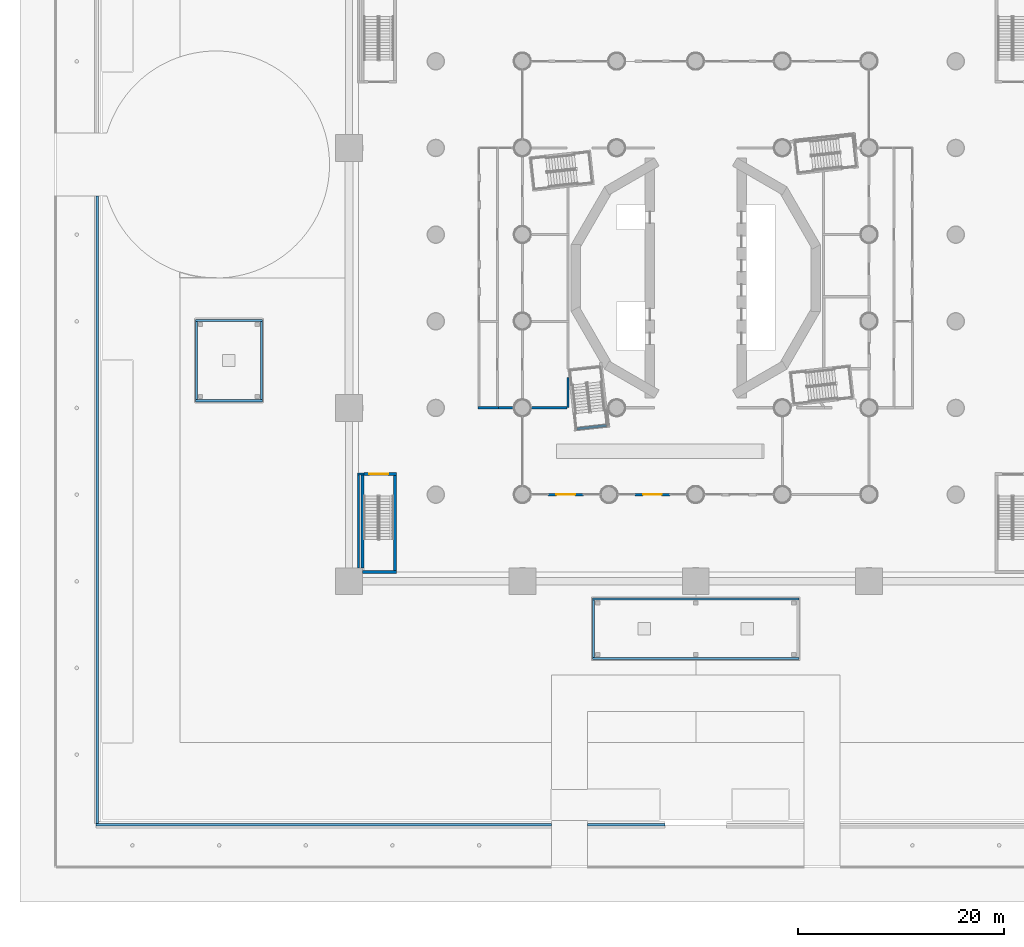
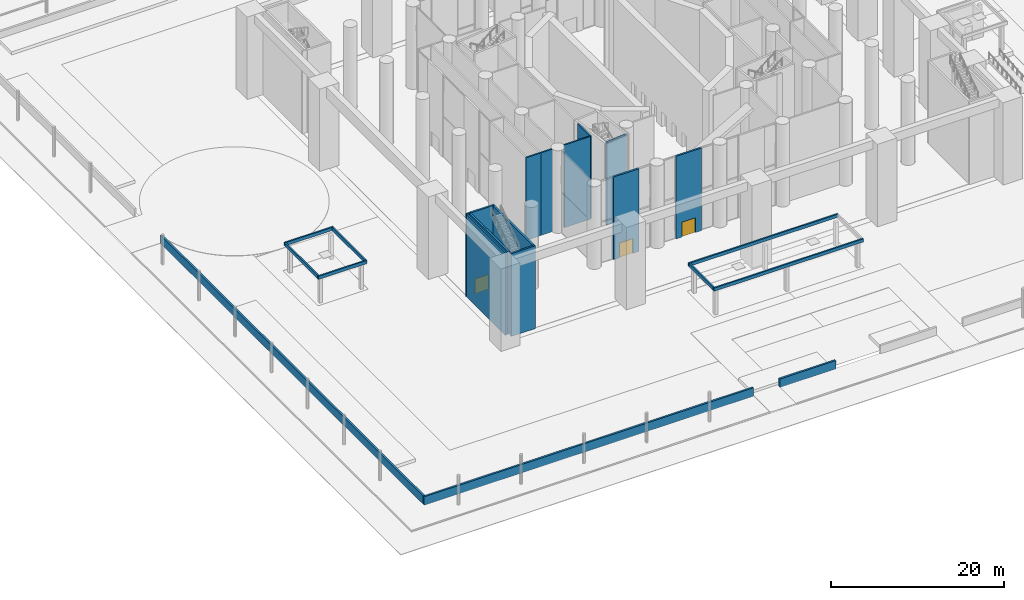
# One storey, part 12 of 52: 23 walls, 3 doors, 3 openings.
"""IFC4 building model written with IfcOpenShell, lengths in metres."""

from ifc_helpers import new_model, si_unit, direction, frame, frame_2d, origin, place, context, subcontext, project, spatial, rectangle, extrude, material, layer, layer_set, type_object, element, fill, save


model = new_model("IFC4")

# Units and contexts
model_context = context("Model", 3, precision=1e-05, world=origin(), true_north=direction((0.0, 1.0)))
body_context = subcontext(model_context, "Body", "Model", "MODEL_VIEW")
ifc_project = project(units=[si_unit("LENGTHUNIT", "METRE"), si_unit("AREAUNIT", "SQUARE_METRE"), si_unit("VOLUMEUNIT", "CUBIC_METRE"), si_unit("PLANEANGLEUNIT", "RADIAN"), si_unit("MASSUNIT", "GRAM", prefix="KILO")], contexts=[model_context])

# Site, building, storey
site_placement = place(None, origin())
site = spatial("IfcSite", under=ifc_project, at=site_placement, CompositionType="ELEMENT")
building_placement = place(site_placement, origin())
building = spatial("IfcBuilding", under=site, at=building_placement, Name="Cantera Rosa Tower", CompositionType="ELEMENT")
storey_placement = place(building_placement, origin())
storey = spatial("IfcBuildingStorey", under=building, at=storey_placement, Name="L00", CompositionType="ELEMENT", Elevation=0.0)

# Walls
ifc_material_1 = material(Name="Masonry blockwork", Category="masonry")
ifc_layer_1 = layer(ifc_material_1, 0.199951171875)
ifc_layer_set_1 = layer_set([ifc_layer_1], Name="Blockwork partition 200")
wall_type_1 = type_object("IfcWallType", Name="Blockwork partition 200", PredefinedType="PARTITIONING", material=ifc_layer_set_1)
wall_1_placement = place(storey_placement, frame((-21.10009765625, -12.57666015625, 0.0), z_axis=(0.0, 0.0, 1.0), x_axis=(1.0, 0.0, 0.0)))
element("IfcWall", 1, at=wall_1_placement, inside=storey, type_object=wall_type_1, Name="Partition L00-1", PredefinedType="PARTITIONING", context=body_context, shape_type="SweptSolid", body=[
    extrude(rectangle(XDim=2.0, YDim=0.199951171875, at=frame_2d((1.0, 0.0))), origin(), (0.0, 0.0, 1.0), 11.699951171875),
])
wall_2_placement = place(storey_placement, frame((-19.10009765625, -12.57666015625, 0.0), z_axis=(0.0, 0.0, 1.0), x_axis=(1.0, 0.0, 0.0)))
element("IfcWall", 2, at=wall_2_placement, inside=storey, type_object=wall_type_1, Name="Partition L00-2", PredefinedType="PARTITIONING", context=body_context, shape_type="SweptSolid", body=[
    extrude(rectangle(XDim=1.5, YDim=0.199951171875, at=frame_2d((0.75, 0.0))), origin(), (0.0, 0.0, 1.0), 11.699951171875),
])
wall_3_placement = place(storey_placement, frame((-16.0, -12.57666015625, 0.0), z_axis=(0.0, 0.0, 1.0), x_axis=(1.0, 0.0, 0.0)))
element("IfcWall", 3, at=wall_3_placement, inside=storey, type_object=wall_type_1, Name="Partition L00-3", PredefinedType="PARTITIONING", context=body_context, shape_type="SweptSolid", body=[
    extrude(rectangle(XDim=3.5, YDim=0.199951171875, at=frame_2d((1.75, 0.0))), origin(), (0.0, 0.0, 1.0), 11.699951171875),
])
wall_4_placement = place(storey_placement, frame((-12.39990234375, -12.57666015625, 0.0), z_axis=(0.0, 0.0, 1.0), x_axis=(0.0, 1.0, 0.0)))
element("IfcWall", 4, at=wall_4_placement, inside=storey, type_object=wall_type_1, Name="Partition L00-10", PredefinedType="PARTITIONING", context=body_context, shape_type="SweptSolid", body=[
    extrude(rectangle(XDim=2.921142578125, YDim=0.199951171875, at=frame_2d((1.46044921875, 0.0))), origin(), (0.0, 0.0, 1.0), 11.699951171875),
])
wall_5_placement = place(storey_placement, frame((-32.699951171875, -28.10009765625, 0.0), z_axis=(0.0, 0.0, 1.0), x_axis=(0.0, 1.0, 0.0)))
element("IfcWall", 5, at=wall_5_placement, inside=storey, type_object=wall_type_1, Name="Partition L00-66", PredefinedType="PARTITIONING", context=body_context, shape_type="SweptSolid", body=[
    extrude(rectangle(XDim=9.0, YDim=0.199951171875, at=frame_2d((4.5, 0.0))), origin(), (0.0, 0.0, 1.0), 11.699951171875),
])
wall_6_placement = place(storey_placement, frame((-32.800048828125, -19.0, 0.0), z_axis=(0.0, 0.0, 1.0), x_axis=(1.0, 0.0, 0.0)))
element("IfcWall", 6, at=wall_6_placement, inside=storey, type_object=wall_type_1, Name="Partition L00-68", PredefinedType="PARTITIONING", context=body_context, shape_type="SweptSolid", body=[
    extrude(rectangle(XDim=0.625, YDim=0.199951171875, at=frame_2d((0.3125, 0.0))), origin(), (0.0, 0.0, 1.0), 11.699951171875),
])

# Wall, opening, door
ifc_material_2 = material(Name="Masonry blockwork", Category="masonry")
ifc_layer_2 = layer(ifc_material_2, 0.25)
ifc_layer_set_2 = layer_set([ifc_layer_2], Name="Entrance wall 250")
wall_type_2 = type_object("IfcWallType", Name="Entrance wall 250", PredefinedType="PARTITIONING", material=ifc_layer_set_2)
wall_7_placement = place(storey_placement, frame((-2.5, -21.0, 0.0), z_axis=(0.0, 0.0, 1.0), x_axis=(-1.0, 0.0, 0.0)))
wall_7 = element("IfcWall", 7, at=wall_7_placement, inside=storey, type_object=wall_type_2, Name="Entrance wall L00-10", PredefinedType="PARTITIONING", context=body_context, shape_type="SweptSolid", body=[
    extrude(rectangle(XDim=3.39990234375, YDim=0.25, at=frame_2d((1.699951171875, 0.0))), origin(), (0.0, 0.0, 1.0), 11.699951171875),
])
opening_1_placement = place(wall_7_placement, frame((0.800048828125, 0.0, 0.0)))
opening_1 = element("IfcOpeningElement", 8, at=opening_1_placement, cuts=wall_7, Name="Opening L00-E10", PredefinedType="OPENING", context=body_context, shape_type="SweptSolid", body=[
    extrude(rectangle(XDim=1.800048828125, YDim=2.10009765625, at=frame_2d((0.89990234375, 1.050048828125))), frame((0.0, 0.135009765625, 0.0), z_axis=(0.0, -1.0, 0.0), x_axis=(1.0, 0.0, 0.0)), (0.0, 0.0, 1.0), 0.27001953125),
])
ifc_material_3 = material(Name="Glass", Category="glass")
door_type_1 = type_object("IfcDoorType", Name="Glazed entrance door 1800x2100", OperationType="NOTDEFINED", PredefinedType="DOOR", material=ifc_material_3)
door_1_placement = place(opening_1_placement, origin())
door_1 = element("IfcDoor", 9, at=door_1_placement, inside=storey, type_object=door_type_1, Name="Entrance door L00-E10", OperationType="DOUBLE_DOOR_SINGLE_SWING", OverallHeight=2.10009765625, OverallWidth=1.800048828125, PredefinedType="DOOR", context=body_context, shape_type="SweptSolid", body=[
    extrude(rectangle(XDim=1.800048828125, YDim=2.10009765625, at=frame_2d((0.89990234375, 1.050048828125))), frame((0.0, 0.02490234375, 0.0), z_axis=(0.0, -1.0, 0.0), x_axis=(1.0, 0.0, 0.0)), (0.0, 0.0, 1.0), 0.050048828125),
])
fill(opening_1, door_1)

wall_8_placement = place(storey_placement, frame((-10.89990234375, -21.0, 0.0), z_axis=(0.0, 0.0, 1.0), x_axis=(-1.0, 0.0, 0.0)))
wall_8 = element("IfcWall", 10, at=wall_8_placement, inside=storey, type_object=wall_type_2, Name="Entrance wall L00-11", PredefinedType="PARTITIONING", context=body_context, shape_type="SweptSolid", body=[
    extrude(rectangle(XDim=3.400146484375, YDim=0.25, at=frame_2d((1.7001953125, 0.0))), origin(), (0.0, 0.0, 1.0), 11.699951171875),
])
opening_2_placement = place(wall_8_placement, frame((0.800048828125, 0.0, 0.0)))
opening_2 = element("IfcOpeningElement", 11, at=opening_2_placement, cuts=wall_8, Name="Opening L00-E11", PredefinedType="OPENING", context=body_context, shape_type="SweptSolid", body=[
    extrude(rectangle(XDim=1.800048828125, YDim=2.10009765625, at=frame_2d((0.89990234375, 1.050048828125))), frame((0.0, 0.135009765625, 0.0), z_axis=(0.0, -1.0, 0.0), x_axis=(1.0, 0.0, 0.0)), (0.0, 0.0, 1.0), 0.27001953125),
])
door_2_placement = place(opening_2_placement, origin())
door_2 = element("IfcDoor", 12, at=door_2_placement, inside=storey, type_object=door_type_1, Name="Entrance door L00-E11", OperationType="DOUBLE_DOOR_SINGLE_SWING", OverallHeight=2.10009765625, OverallWidth=1.800048828125, PredefinedType="DOOR", context=body_context, shape_type="SweptSolid", body=[
    extrude(rectangle(XDim=1.800048828125, YDim=2.10009765625, at=frame_2d((0.89990234375, 1.050048828125))), frame((0.0, 0.02490234375, 0.0), z_axis=(0.0, -1.0, 0.0), x_axis=(1.0, 0.0, 0.0)), (0.0, 0.0, 1.0), 0.050048828125),
])
fill(opening_2, door_2)

# Walls
ifc_material_4 = material(Name="Concrete C50/60", Category="concrete")
ifc_layer_3 = layer(ifc_material_4, 0.25)
ifc_layer_set_3 = layer_set([ifc_layer_3], Name="External stair wall 250")
wall_type_3 = type_object("IfcWallType", Name="External stair wall 250", PredefinedType="SOLIDWALL", material=ifc_layer_set_3)
wall_9_placement = place(storey_placement, frame((-29.02490234375, -28.5, 0.0), z_axis=(0.0, 0.0, 1.0), x_axis=(-1.0, 0.0, 0.0)))
element("IfcWall", 13, at=wall_9_placement, inside=storey, type_object=wall_type_3, Name="Stair wall L00-71", PredefinedType="SOLIDWALL", context=body_context, shape_type="SweptSolid", body=[
    extrude(rectangle(XDim=3.275146484375, YDim=0.25, at=frame_2d((1.6376953125, 0.0))), origin(), (0.0, 0.0, 1.0), 11.699951171875),
])
ifc_material_5 = material(Name="Concrete C40/50", Category="concrete")
ifc_layer_4 = layer(ifc_material_5, 0.25)
ifc_layer_set_4 = layer_set([ifc_layer_4], Name="Plot boundary wall 250")
wall_type_4 = type_object("IfcWallType", Name="Plot boundary wall 250", PredefinedType="NOTDEFINED", material=ifc_layer_set_4)
wall_10_placement = place(storey_placement, frame((-58.125, -53.0, 0.0), z_axis=(0.0, 0.0, 1.0), x_axis=(1.0, 0.0, 0.0)))
element("IfcWall", 14, at=wall_10_placement, inside=storey, type_object=wall_type_4, Name="Plot boundary wall S1", PredefinedType="NOTDEFINED", context=body_context, shape_type="SweptSolid", body=[
    extrude(rectangle(XDim=44.125, YDim=0.25, at=frame_2d((22.0625, 0.0))), origin(), (0.0, 0.0, 1.0), 1.199951171875),
])
wall_11_placement = place(storey_placement, frame((-10.5, -53.0, 0.0), z_axis=(0.0, 0.0, 1.0), x_axis=(1.0, 0.0, 0.0)))
element("IfcWall", 15, at=wall_11_placement, inside=storey, type_object=wall_type_4, Name="Plot boundary wall S2", PredefinedType="NOTDEFINED", context=body_context, shape_type="SweptSolid", body=[
    extrude(rectangle(XDim=7.5, YDim=0.25, at=frame_2d((3.75, 0.0))), origin(), (0.0, 0.0, 1.0), 1.199951171875),
])
wall_12_placement = place(storey_placement, frame((-58.0, -52.875, 0.0), z_axis=(0.0, 0.0, 1.0), x_axis=(0.0, 1.0, 0.0)))
element("IfcWall", 16, at=wall_12_placement, inside=storey, type_object=wall_type_4, Name="Plot boundary wall W1", PredefinedType="NOTDEFINED", context=body_context, shape_type="SweptSolid", body=[
    extrude(rectangle(XDim=60.824951171875, YDim=0.25, at=frame_2d((30.41259765625, 0.0))), origin(), (0.0, 0.0, 1.0), 1.199951171875),
])
ifc_material_6 = material(Name="Concrete C50/60", Category="concrete")
ifc_layer_5 = layer(ifc_material_6, 0.25)
ifc_layer_set_5 = layer_set([ifc_layer_5], Name="RC stair wall 250 C50/60")
wall_type_5 = type_object("IfcWallType", Name="RC stair wall 250", PredefinedType="SOLIDWALL", material=ifc_layer_set_5)
wall_13_placement = place(storey_placement, frame((-29.14990234375, -19.125, 0.0), z_axis=(0.0, 0.0, 1.0), x_axis=(0.0, -1.0, 0.0)))
element("IfcWall", 17, at=wall_13_placement, inside=storey, type_object=wall_type_5, Name="Stair wall L00-62", PredefinedType="SOLIDWALL", context=body_context, shape_type="SweptSolid", body=[
    extrude(rectangle(XDim=9.25, YDim=0.25, at=frame_2d((4.625, 0.0))), origin(), (0.0, 0.0, 1.0), 11.699951171875),
])
wall_14_placement = place(storey_placement, frame((-32.300048828125, -28.10009765625, 0.0), z_axis=(0.0, 0.0, 1.0), x_axis=(0.0, 1.0, 0.0)))
element("IfcWall", 18, at=wall_14_placement, inside=storey, type_object=wall_type_5, Name="Stair wall L00-64", PredefinedType="SOLIDWALL", context=body_context, shape_type="SweptSolid", body=[
    extrude(rectangle(XDim=9.0, YDim=0.25, at=frame_2d((4.5, 0.0))), origin(), (0.0, 0.0, 1.0), 11.699951171875),
])

# Wall, opening, door
wall_15_placement = place(storey_placement, frame((-32.175048828125, -19.0, 0.0), z_axis=(0.0, 0.0, 1.0), x_axis=(1.0, 0.0, 0.0)))
wall_15 = element("IfcWall", 19, at=wall_15_placement, inside=storey, type_object=wall_type_5, Name="Stair wall L00-69", PredefinedType="SOLIDWALL", context=body_context, shape_type="SweptSolid", body=[
    extrude(rectangle(XDim=3.150146484375, YDim=0.25, at=frame_2d((1.5751953125, 0.0))), origin(), (0.0, 0.0, 1.0), 11.699951171875),
])
opening_3_placement = place(wall_15_placement, frame((0.550048828125, 0.0, 0.0)))
opening_3 = element("IfcOpeningElement", 20, at=opening_3_placement, cuts=wall_15, Name="Opening L00-018", PredefinedType="OPENING", context=body_context, shape_type="SweptSolid", body=[
    extrude(rectangle(XDim=1.800048828125, YDim=2.10009765625, at=frame_2d((0.89990234375, 1.050048828125))), frame((0.0, 0.135009765625, 0.0), z_axis=(0.0, -1.0, 0.0), x_axis=(1.0, 0.0, 0.0)), (0.0, 0.0, 1.0), 0.27001953125),
])
ifc_material_7 = material(Name="Steel S355J2 (EN 10025-2)", Category="steel")
door_type_2 = type_object("IfcDoorType", Name="Fire double door 1800x2100 EI 120", OperationType="NOTDEFINED", PredefinedType="DOOR", material=ifc_material_7)
door_3_placement = place(opening_3_placement, origin())
door_3 = element("IfcDoor", 21, at=door_3_placement, inside=storey, type_object=door_type_2, Name="Door L00-018", OperationType="DOUBLE_DOOR_SINGLE_SWING", OverallHeight=2.10009765625, OverallWidth=1.800048828125, PredefinedType="DOOR", context=body_context, shape_type="SweptSolid", body=[
    extrude(rectangle(XDim=1.800048828125, YDim=2.10009765625, at=frame_2d((0.89990234375, 1.050048828125))), frame((0.0, 0.02490234375, 0.0), z_axis=(0.0, -1.0, 0.0), x_axis=(1.0, 0.0, 0.0)), (0.0, 0.0, 1.0), 0.050048828125),
])
fill(opening_3, door_3)

# Walls
wall_16_placement = place(storey_placement, frame((-8.66650390625, -14.30029296875, 0.0), z_axis=(0.0, 0.0, 1.0), x_axis=(-0.993904609394, -0.110243491536, 0.0)))
element("IfcWall", 22, at=wall_16_placement, inside=storey, type_object=wall_type_5, Name="Stair wall ST-13 L00-1", PredefinedType="SOLIDWALL", context=body_context, shape_type="SweptSolid", body=[
    extrude(rectangle(XDim=2.85009765625, YDim=0.25, at=frame_2d((1.425048828125, 0.0))), origin(), (0.0, 0.0, 1.0), 11.699951171875),
])
ifc_material_8 = material(Name="Concrete C40/50", Category="concrete")
ifc_layer_6 = layer(ifc_material_8, 0.199951171875)
ifc_layer_set_6 = layer_set([ifc_layer_6], Name="Roof parapet 200")
wall_type_6 = type_object("IfcWallType", Name="Roof parapet 200", PredefinedType="PARAPET", material=ifc_layer_set_6)
for number, where, z_axis, x_axis, name in (
    (23, (-48.5, -11.89990234375, 3.64990234375), (0.0, 0.0, 1.0), (1.0, 0.0, 0.0), "Parapet of the bicycle shelter roof S"),
    (24, (-48.5, -4.10009765625, 3.64990234375), (0.0, 0.0, 1.0), (1.0, 0.0, 0.0), "Parapet of the bicycle shelter roof N"),
):
    element("IfcWall", number, at=place(storey_placement, frame(where, z_axis=z_axis, x_axis=x_axis)), inside=storey, type_object=wall_type_6, Name=name, PredefinedType="PARAPET", context=body_context, shape_type="SweptSolid", body=[
        extrude(rectangle(XDim=6.5, YDim=0.199951171875, at=frame_2d((3.25, 0.0))), origin(), (0.0, 0.0, 1.0), 0.4501953125),
    ])
for number, where, z_axis, x_axis, name in (
    (25, (-48.39990234375, -11.800048828125, 3.64990234375), (0.0, 0.0, 1.0), (0.0, 1.0, 0.0), "Parapet of the bicycle shelter roof W"),
    (26, (-42.10009765625, -11.800048828125, 3.64990234375), (0.0, 0.0, 1.0), (0.0, 1.0, 0.0), "Parapet of the bicycle shelter roof E"),
):
    element("IfcWall", number, at=place(storey_placement, frame(where, z_axis=z_axis, x_axis=x_axis)), inside=storey, type_object=wall_type_6, Name=name, PredefinedType="PARAPET", context=body_context, shape_type="SweptSolid", body=[
        extrude(rectangle(XDim=7.60009765625, YDim=0.199951171875, at=frame_2d((3.800048828125, 0.0))), origin(), (0.0, 0.0, 1.0), 0.4501953125),
    ])
for number, where, z_axis, x_axis, name in (
    (27, (-10.0, -36.89990234375, 3.64990234375), (0.0, 0.0, 1.0), (1.0, 0.0, 0.0), "Parapet of the hotel drop-off canopy roof S"),
    (28, (-10.0, -31.10009765625, 3.64990234375), (0.0, 0.0, 1.0), (1.0, 0.0, 0.0), "Parapet of the hotel drop-off canopy roof N"),
):
    element("IfcWall", number, at=place(storey_placement, frame(where, z_axis=z_axis, x_axis=x_axis)), inside=storey, type_object=wall_type_6, Name=name, PredefinedType="PARAPET", context=body_context, shape_type="SweptSolid", body=[
        extrude(rectangle(XDim=20.0, YDim=0.199951171875, at=frame_2d((10.0, 0.0))), origin(), (0.0, 0.0, 1.0), 0.4501953125),
    ])
wall_17_placement = place(storey_placement, frame((-9.89990234375, -36.800048828125, 3.64990234375), z_axis=(0.0, 0.0, 1.0), x_axis=(0.0, 1.0, 0.0)))
element("IfcWall", 29, at=wall_17_placement, inside=storey, type_object=wall_type_6, Name="Parapet of the hotel drop-off canopy roof W", PredefinedType="PARAPET", context=body_context, shape_type="SweptSolid", body=[
    extrude(rectangle(XDim=5.60009765625, YDim=0.199951171875, at=frame_2d((2.800048828125, 0.0))), origin(), (0.0, 0.0, 1.0), 0.4501953125),
])

save(model, "model.ifc")
